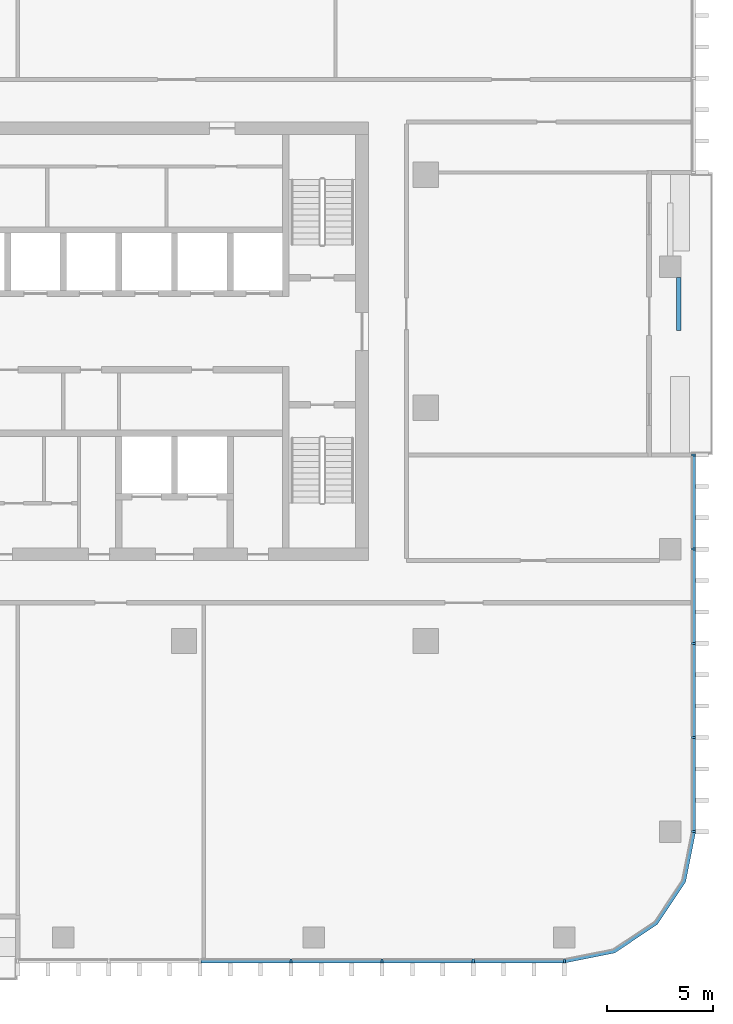
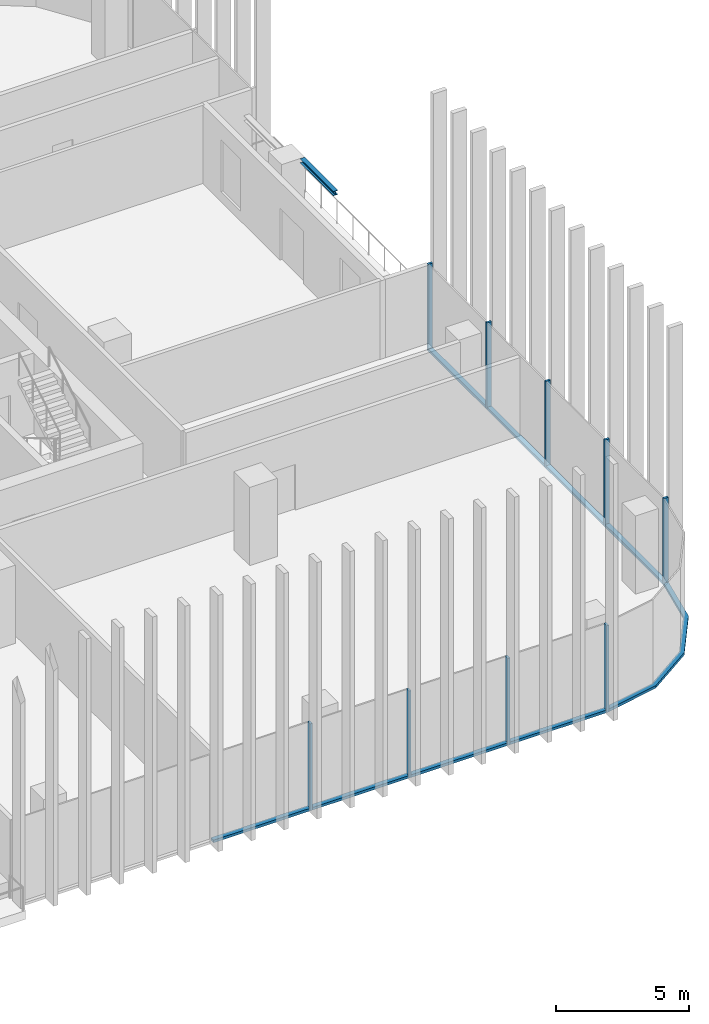
# One storey, part 3 of 16: 18 members, 1 beam, 3 elements without a shape of their own.
"""IFC4 building model written with IfcOpenShell, lengths in metres."""

from ifc_helpers import new_model, si_unit, direction, frame, origin, origin_2d, place, context, subcontext, project, spatial, polyline, rectangle, i_section, outline, extrude, material, material_profile, profile_set, type_object, element, aggregate, save


model = new_model("IFC4")

# Units and contexts
model_context = context("Model", 3, precision=1e-05, world=origin(), true_north=direction((0.0, 1.0)))
body_context = subcontext(model_context, "Body", "Model", "MODEL_VIEW")
ifc_project = project(units=[si_unit("LENGTHUNIT", "METRE"), si_unit("AREAUNIT", "SQUARE_METRE"), si_unit("VOLUMEUNIT", "CUBIC_METRE"), si_unit("PLANEANGLEUNIT", "RADIAN"), si_unit("MASSUNIT", "GRAM", prefix="KILO")], contexts=[model_context])

# Site, building, storey
site_placement = place(None, origin())
site = spatial("IfcSite", under=ifc_project, at=site_placement, CompositionType="ELEMENT")
building_placement = place(site_placement, origin())
building = spatial("IfcBuilding", under=site, at=building_placement, Name="Mopane Tessera Tower", CompositionType="ELEMENT")
storey_placement = place(building_placement, frame((0.0, 0.0, 303.39990234375)))
storey = spatial("IfcBuildingStorey", under=building, at=storey_placement, Name="L66", CompositionType="ELEMENT", Elevation=303.39990234375)

# Curtain wall, members
ifc_material_1 = material(Name="Aluminium frame", Category="aluminium")
curtain_wall_type = type_object("IfcCurtainWallType", Name="Unitised curtain wall", PredefinedType="NOTDEFINED", material=ifc_material_1)
curtain_wall_1_placement = place(storey_placement, origin())
curtain_wall_1 = element("IfcCurtainWall", 1, at=curtain_wall_1_placement, inside=storey, type_object=curtain_wall_type, Name="e:cw:L66:S:5", PredefinedType="NOTDEFINED")
ifc_material_2 = material(Name="Aluminium frame", Category="aluminium")
ifc_material_profile_1 = material_profile(ifc_material_2, rectangle(XDim=0.10009765625, YDim=0.199951171875, at=origin_2d()))
ifc_profile_set_1 = profile_set([ifc_material_profile_1], Name="Aluminium frame")
member_type_1 = type_object("IfcMemberType", Name="Aluminium mullion 100 x 200", PredefinedType="MULLION", material=ifc_profile_set_1)
member_1_placement = place(storey_placement, frame((10.75, -26.10009765625, -0.39990234375), z_axis=(0.0, 0.0, 1.0), x_axis=(1.0, 0.0, 0.0)))
member_1 = element("IfcMember", 2, at=member_1_placement, type_object=member_type_1, Name="e:cw:L66:S:5:mu8", PredefinedType="MULLION", context=body_context, shape_type="SweptSolid", body=[
    extrude(rectangle(XDim=0.10009765625, YDim=0.199951171875, at=origin_2d()), origin(), (0.0, 0.0, 1.0), 4.0),
])
member_2_placement = place(storey_placement, frame((15.050048828125, -26.10009765625, -0.39990234375), z_axis=(0.0, 0.0, 1.0), x_axis=(1.0, 0.0, 0.0)))
member_2 = element("IfcMember", 3, at=member_2_placement, type_object=member_type_1, Name="e:cw:L66:S:5:mu9", PredefinedType="MULLION", context=body_context, shape_type="SweptSolid", body=[
    extrude(rectangle(XDim=0.10009765625, YDim=0.199951171875, at=origin_2d()), origin(), (0.0, 0.0, 1.0), 4.0),
])
member_3_placement = place(storey_placement, frame((19.35009765625, -26.10009765625, -0.39990234375), z_axis=(0.0, 0.0, 1.0), x_axis=(1.0, 0.0, 0.0)))
member_3 = element("IfcMember", 4, at=member_3_placement, type_object=member_type_1, Name="e:cw:L66:S:5:mu10", PredefinedType="MULLION", context=body_context, shape_type="SweptSolid", body=[
    extrude(rectangle(XDim=0.10009765625, YDim=0.199951171875, at=origin_2d()), origin(), (0.0, 0.0, 1.0), 4.0),
])
member_4_placement = place(storey_placement, frame((23.64990234375, -26.10009765625, -0.39990234375), z_axis=(0.0, 0.0, 1.0), x_axis=(1.0, 0.0, 0.0)))
member_4 = element("IfcMember", 5, at=member_4_placement, type_object=member_type_1, Name="e:cw:L66:S:5:mu11", PredefinedType="MULLION", context=body_context, shape_type="SweptSolid", body=[
    extrude(rectangle(XDim=0.10009765625, YDim=0.199951171875, at=origin_2d()), origin(), (0.0, 0.0, 1.0), 4.0),
])

curtain_wall_2_placement = place(storey_placement, origin())
curtain_wall_2 = element("IfcCurtainWall", 6, at=curtain_wall_2_placement, inside=storey, type_object=curtain_wall_type, Name="e:cw:L66:E:0", PredefinedType="NOTDEFINED")
member_5_placement = place(storey_placement, frame((29.75, -20.0, -0.39990234375), z_axis=(0.0, 0.0, 1.0), x_axis=(0.0, 1.0, 0.0)))
member_5 = element("IfcMember", 7, at=member_5_placement, type_object=member_type_1, Name="e:cw:L66:E:0:mu0", PredefinedType="MULLION", context=body_context, shape_type="SweptSolid", body=[
    extrude(rectangle(XDim=0.10009765625, YDim=0.199951171875, at=origin_2d()), origin(), (0.0, 0.0, 1.0), 4.0),
])
member_6_placement = place(storey_placement, frame((29.75, -15.5556640625, -0.39990234375), z_axis=(0.0, 0.0, 1.0), x_axis=(0.0, 1.0, 0.0)))
member_6 = element("IfcMember", 8, at=member_6_placement, type_object=member_type_1, Name="e:cw:L66:E:0:mu1", PredefinedType="MULLION", context=body_context, shape_type="SweptSolid", body=[
    extrude(rectangle(XDim=0.10009765625, YDim=0.199951171875, at=origin_2d()), origin(), (0.0, 0.0, 1.0), 4.0),
])
member_7_placement = place(storey_placement, frame((29.75, -11.111083984375, -0.39990234375), z_axis=(0.0, 0.0, 1.0), x_axis=(0.0, 1.0, 0.0)))
member_7 = element("IfcMember", 9, at=member_7_placement, type_object=member_type_1, Name="e:cw:L66:E:0:mu2", PredefinedType="MULLION", context=body_context, shape_type="SweptSolid", body=[
    extrude(rectangle(XDim=0.10009765625, YDim=0.199951171875, at=origin_2d()), origin(), (0.0, 0.0, 1.0), 4.0),
])
member_8_placement = place(storey_placement, frame((29.75, -6.666748046875, -0.39990234375), z_axis=(0.0, 0.0, 1.0), x_axis=(0.0, 1.0, 0.0)))
member_8 = element("IfcMember", 10, at=member_8_placement, type_object=member_type_1, Name="e:cw:L66:E:0:mu3", PredefinedType="MULLION", context=body_context, shape_type="SweptSolid", body=[
    extrude(rectangle(XDim=0.10009765625, YDim=0.199951171875, at=origin_2d()), origin(), (0.0, 0.0, 1.0), 4.0),
])
member_9_placement = place(storey_placement, frame((29.75, -2.22216796875, -0.39990234375), z_axis=(0.0, 0.0, 1.0), x_axis=(0.0, 1.0, 0.0)))
member_9 = element("IfcMember", 11, at=member_9_placement, type_object=member_type_1, Name="e:cw:L66:E:0:mu4", PredefinedType="MULLION", context=body_context, shape_type="SweptSolid", body=[
    extrude(rectangle(XDim=0.10009765625, YDim=0.199951171875, at=origin_2d()), origin(), (0.0, 0.0, 1.0), 4.0),
])

# Member
ifc_material_3 = material(Name="Aluminium frame", Category="aluminium")
ifc_material_profile_2 = material_profile(ifc_material_3, rectangle(XDim=0.199951171875, YDim=0.1201171875, at=origin_2d()))
ifc_profile_set_2 = profile_set([ifc_material_profile_2], Name="Aluminium frame")
member_type_2 = type_object("IfcMemberType", Name="Aluminium transom 200 x 120", PredefinedType="USERDEFINED", material=ifc_profile_set_2)
member_10_placement = place(storey_placement, frame((6.5, -26.10009765625, -0.33984375), z_axis=(1.0, 0.0, 0.0), x_axis=(0.0, 1.0, 0.0)))
member_10 = element("IfcMember", 12, at=member_10_placement, type_object=member_type_2, Name="e:cw:L66:S:5:tr7", ObjectType="TRANSOM", PredefinedType="USERDEFINED", context=body_context, shape_type="SweptSolid", body=[
    extrude(rectangle(XDim=0.199951171875, YDim=0.1201171875, at=origin_2d()), origin(), (0.0, 0.0, 1.0), 4.199951171875),
])

member_11_placement = place(storey_placement, frame((10.800048828125, -26.10009765625, -0.33984375), z_axis=(1.0, 0.0, 0.0), x_axis=(0.0, 1.0, 0.0)))
member_11 = element("IfcMember", 13, at=member_11_placement, type_object=member_type_2, Name="e:cw:L66:S:5:tr8", ObjectType="TRANSOM", PredefinedType="USERDEFINED", context=body_context, shape_type="SweptSolid", body=[
    extrude(rectangle(XDim=0.199951171875, YDim=0.1201171875, at=origin_2d()), origin(), (0.0, 0.0, 1.0), 4.199951171875),
])

member_12_placement = place(storey_placement, frame((15.10009765625, -26.10009765625, -0.33984375), z_axis=(1.0, 0.0, 0.0), x_axis=(0.0, 1.0, 0.0)))
member_12 = element("IfcMember", 14, at=member_12_placement, type_object=member_type_2, Name="e:cw:L66:S:5:tr9", ObjectType="TRANSOM", PredefinedType="USERDEFINED", context=body_context, shape_type="SweptSolid", body=[
    extrude(rectangle(XDim=0.199951171875, YDim=0.1201171875, at=origin_2d()), origin(), (0.0, 0.0, 1.0), 4.199951171875),
])

member_13_placement = place(storey_placement, frame((19.39990234375, -26.10009765625, -0.33984375), z_axis=(1.0, 0.0, 0.0), x_axis=(0.0, 1.0, 0.0)))
member_13 = element("IfcMember", 15, at=member_13_placement, type_object=member_type_2, Name="e:cw:L66:S:5:tr10", ObjectType="TRANSOM", PredefinedType="USERDEFINED", context=body_context, shape_type="SweptSolid", body=[
    extrude(rectangle(XDim=0.199951171875, YDim=0.1201171875, at=origin_2d()), origin(), (0.0, 0.0, 1.0), 4.2001953125),
])

aggregate(curtain_wall_1, [member_1, member_2, member_3, member_4, member_10, member_11, member_12, member_13])

# Curtain wall, member
curtain_wall_3_placement = place(storey_placement, origin())
curtain_wall_3 = element("IfcCurtainWall", 16, at=curtain_wall_3_placement, inside=storey, type_object=curtain_wall_type, Name="e:cw:L66:CS", PredefinedType="NOTDEFINED")
member_14_placement = place(storey_placement, frame((0.0, 0.0, -0.39990234375)))
member_14 = element("IfcMember", 17, at=member_14_placement, type_object=member_type_2, Name="e:cw:L66:CS:tr", ObjectType="TRANSOM", PredefinedType="USERDEFINED", context=body_context, shape_type="SweptSolid", body=[
    extrude(outline(polyline([(23.64990234375, -26.0), (25.946044921875, -25.543212890625), (27.892578125, -24.24267578125), (29.193359375, -22.296142578125), (29.64990234375, -20.0), (29.85009765625, -20.0), (29.378173828125, -22.37255859375), (28.0341796875, -24.384033203125), (26.022705078125, -25.72802734375), (23.64990234375, -26.199951171875), (23.64990234375, -26.0)])), origin(), (0.0, 0.0, 1.0), 0.1201171875),
])
aggregate(curtain_wall_3, [member_14])

# Member
member_15_placement = place(storey_placement, frame((29.75, -19.949951171875, -0.33984375), z_axis=(0.0, 1.0, 0.0), x_axis=(-1.0, 0.0, 0.0)))
member_15 = element("IfcMember", 18, at=member_15_placement, type_object=member_type_2, Name="e:cw:L66:E:0:tr0", ObjectType="TRANSOM", PredefinedType="USERDEFINED", context=body_context, shape_type="SweptSolid", body=[
    extrude(rectangle(XDim=0.199951171875, YDim=0.1201171875, at=origin_2d()), origin(), (0.0, 0.0, 1.0), 4.344482421875),
])

member_16_placement = place(storey_placement, frame((29.75, -15.505615234375, -0.33984375), z_axis=(0.0, 1.0, 0.0), x_axis=(-1.0, 0.0, 0.0)))
member_16 = element("IfcMember", 19, at=member_16_placement, type_object=member_type_2, Name="e:cw:L66:E:0:tr1", ObjectType="TRANSOM", PredefinedType="USERDEFINED", context=body_context, shape_type="SweptSolid", body=[
    extrude(rectangle(XDim=0.199951171875, YDim=0.1201171875, at=origin_2d()), origin(), (0.0, 0.0, 1.0), 4.344482421875),
])

member_17_placement = place(storey_placement, frame((29.75, -11.06103515625, -0.33984375), z_axis=(0.0, 1.0, 0.0), x_axis=(-1.0, 0.0, 0.0)))
member_17 = element("IfcMember", 20, at=member_17_placement, type_object=member_type_2, Name="e:cw:L66:E:0:tr2", ObjectType="TRANSOM", PredefinedType="USERDEFINED", context=body_context, shape_type="SweptSolid", body=[
    extrude(rectangle(XDim=0.199951171875, YDim=0.1201171875, at=origin_2d()), origin(), (0.0, 0.0, 1.0), 4.344482421875),
])

member_18_placement = place(storey_placement, frame((29.75, -6.61669921875, -0.33984375), z_axis=(0.0, 1.0, 0.0), x_axis=(-1.0, 0.0, 0.0)))
member_18 = element("IfcMember", 21, at=member_18_placement, type_object=member_type_2, Name="e:cw:L66:E:0:tr3", ObjectType="TRANSOM", PredefinedType="USERDEFINED", context=body_context, shape_type="SweptSolid", body=[
    extrude(rectangle(XDim=0.199951171875, YDim=0.1201171875, at=origin_2d()), origin(), (0.0, 0.0, 1.0), 4.344482421875),
])

aggregate(curtain_wall_2, [member_5, member_6, member_7, member_8, member_9, member_15, member_16, member_17, member_18])

# Beam
ifc_material_4 = material(Name="Structural steel S460", Category="steel")
ifc_material_profile_3 = material_profile(ifc_material_4, i_section(OverallWidth=0.199951171875, OverallDepth=0.199951171875, WebThickness=0.009033203125, FlangeThickness=0.014892578125, FilletRadius=0.01806640625, at=origin_2d()))
ifc_profile_set_3 = profile_set([ifc_material_profile_3], Name="Structural steel S460")
beam_type = type_object("IfcBeamType", Name="Terrace trimmer beam HE 200 B", PredefinedType="BEAM", material=ifc_profile_set_3)
beam_placement = place(storey_placement, frame((29.0498046875, 6.163818359375, 3.5), z_axis=(0.0, -1.0, 0.0), x_axis=(1.0, 0.0, 0.0)))
element("IfcBeam", 22, at=beam_placement, inside=storey, type_object=beam_type, Name="Terrace trimmer beam N1 L67", PredefinedType="BEAM", context=body_context, shape_type="SweptSolid", body=[
    extrude(i_section(OverallWidth=0.199951171875, OverallDepth=0.199951171875, WebThickness=0.009033203125, FlangeThickness=0.014892578125, FilletRadius=0.01806640625, at=origin_2d()), origin(), (0.0, 0.0, 1.0), 2.5),
])

save(model, "model.ifc")
